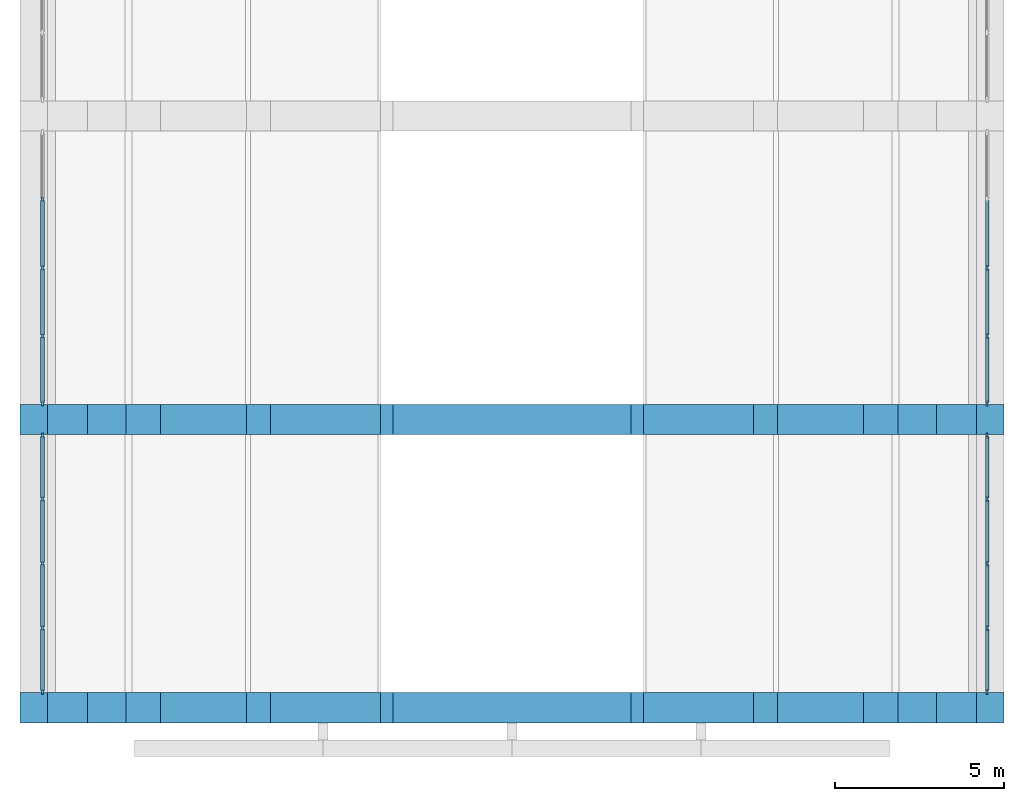
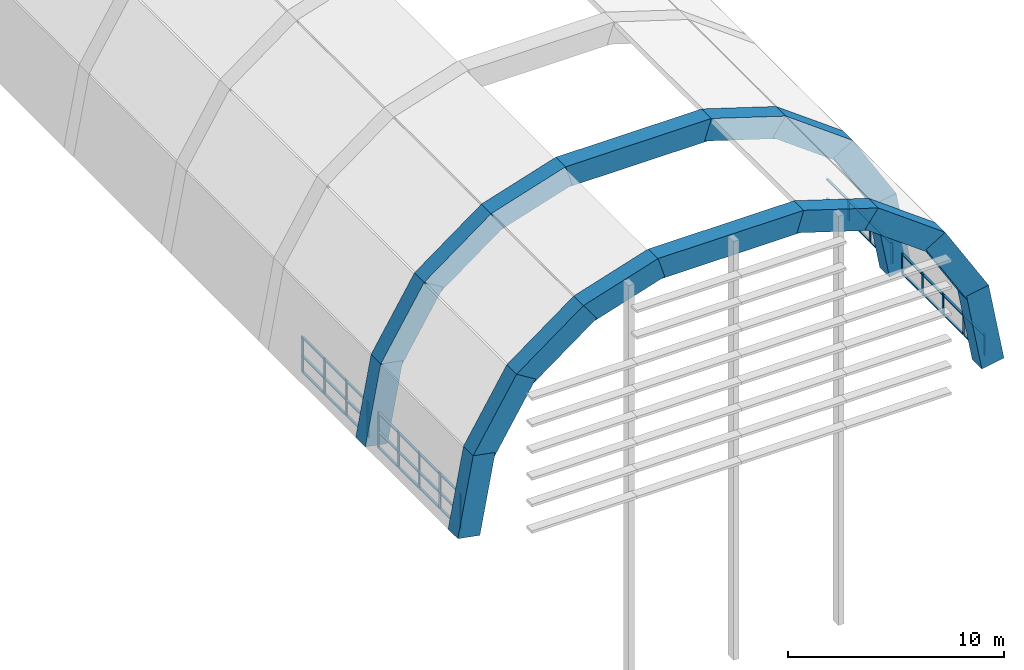
# One storey, part 1 of 8: 52 members, 18 beams, 4 elements without a shape of their own.
"""IFC4 building model written with IfcOpenShell, lengths in metres."""

from ifc_helpers import new_model, si_unit, direction, frame, origin, origin_2d, place, context, subcontext, project, spatial, rectangle, extrude, material, material_profile, profile_set, type_object, element, aggregate, save


model = new_model("IFC4")

# Units and contexts
model_context = context("Model", 3, precision=1e-05, world=origin(), true_north=direction((0.0, 1.0)))
body_context = subcontext(model_context, "Body", "Model", "MODEL_VIEW")
ifc_project = project(units=[si_unit("LENGTHUNIT", "METRE"), si_unit("AREAUNIT", "SQUARE_METRE"), si_unit("VOLUMEUNIT", "CUBIC_METRE"), si_unit("PLANEANGLEUNIT", "RADIAN"), si_unit("MASSUNIT", "GRAM", prefix="KILO")], contexts=[model_context])

# Site, building, storey
site_placement = place(None, origin())
site = spatial("IfcSite", under=ifc_project, at=site_placement, CompositionType="ELEMENT")
building_placement = place(site_placement, origin())
building = spatial("IfcBuilding", under=site, at=building_placement, Name="Elmora Arch Market Hall", CompositionType="ELEMENT")
storey_placement = place(building_placement, frame((0.0, 0.0, 18.60009765625)))
storey = spatial("IfcBuildingStorey", under=building, at=storey_placement, Name="Roof", CompositionType="ELEMENT", Elevation=18.60009765625)

# Beams
ifc_material_1 = material(Name="Concrete C40/50", Category="concrete")
ifc_material_profile_1 = material_profile(ifc_material_1, rectangle(XDim=0.89990234375, YDim=1.199951171875, at=origin_2d()), Name="Arch rib")
ifc_profile_set_1 = profile_set([ifc_material_profile_1], Name="Concrete C40/50")
beam_type = type_object("IfcBeamType", Name="Arch rib", PredefinedType="BEAM", material=ifc_profile_set_1)
beam_1_placement = place(storey_placement, frame((15.0, 27.449951171875, 0.10986328125), z_axis=(0.18332979563, 0.0, 0.983051466625), x_axis=(0.0, 1.0, 0.0)))
element("IfcBeam", 1, at=beam_1_placement, inside=storey, type_object=beam_type, Name="Arch rib 01 segment 1", PredefinedType="BEAM", context=body_context, shape_type="SweptSolid", body=[
    extrude(rectangle(XDim=0.89990234375, YDim=1.199951171875, at=origin_2d()), origin(), (0.0, 0.0, 1.0), 4.474609375),
])
beam_2_placement = place(storey_placement, frame((15.742431640625, 27.449951171875, 4.3056640625), z_axis=(0.52144556852, 0.0, 0.85328454754), x_axis=(0.0, 1.0, 0.0)))
element("IfcBeam", 2, at=beam_2_placement, inside=storey, type_object=beam_type, Name="Arch rib 01 segment 2", PredefinedType="BEAM", context=body_context, shape_type="SweptSolid", body=[
    extrude(rectangle(XDim=0.89990234375, YDim=1.199951171875, at=origin_2d()), origin(), (0.0, 0.0, 1.0), 4.447509765625),
])
beam_3_placement = place(storey_placement, frame((17.905029296875, 27.449951171875, 7.929931640625), z_axis=(0.805622437168, 0.0, 0.592429311168), x_axis=(0.0, 1.0, 0.0)))
element("IfcBeam", 3, at=beam_3_placement, inside=storey, type_object=beam_type, Name="Arch rib 01 segment 3", PredefinedType="BEAM", context=body_context, shape_type="SweptSolid", body=[
    extrude(rectangle(XDim=0.89990234375, YDim=1.199951171875, at=origin_2d()), origin(), (0.0, 0.0, 1.0), 4.4375),
])
beam_4_placement = place(storey_placement, frame((21.30517578125, 27.449951171875, 10.469970703125), z_axis=(0.953579131472, 0.0, 0.30114255764), x_axis=(0.0, 1.0, 0.0)))
element("IfcBeam", 4, at=beam_4_placement, inside=storey, type_object=beam_type, Name="Arch rib 01 segment 4", PredefinedType="BEAM", context=body_context, shape_type="SweptSolid", body=[
    extrude(rectangle(XDim=0.89990234375, YDim=1.199951171875, at=origin_2d()), origin(), (0.0, 0.0, 1.0), 4.1767578125),
])
beam_5_placement = place(storey_placement, frame((25.107421875, 27.449951171875, 11.699951171875), z_axis=(1.0, 0.0, 0.0), x_axis=(0.0, 1.0, 0.0)))
element("IfcBeam", 5, at=beam_5_placement, inside=storey, type_object=beam_type, Name="Arch rib 01 segment 5", PredefinedType="BEAM", context=body_context, shape_type="SweptSolid", body=[
    extrude(rectangle(XDim=0.89990234375, YDim=1.199951171875, at=origin_2d()), origin(), (0.0, 0.0, 1.0), 7.78515625),
])
beam_6_placement = place(storey_placement, frame((32.7119140625, 27.449951171875, 11.727783203125), z_axis=(0.953579131472, 0.0, -0.30114255764), x_axis=(0.0, 1.0, 0.0)))
element("IfcBeam", 6, at=beam_6_placement, inside=storey, type_object=beam_type, Name="Arch rib 01 segment 6", PredefinedType="BEAM", context=body_context, shape_type="SweptSolid", body=[
    extrude(rectangle(XDim=0.89990234375, YDim=1.199951171875, at=origin_2d()), origin(), (0.0, 0.0, 1.0), 4.1767578125),
])
beam_7_placement = place(storey_placement, frame((36.52001953125, 27.449951171875, 10.558837890625), z_axis=(0.805622437168, 0.0, -0.592429311168), x_axis=(0.0, 1.0, 0.0)))
element("IfcBeam", 7, at=beam_7_placement, inside=storey, type_object=beam_type, Name="Arch rib 01 segment 7", PredefinedType="BEAM", context=body_context, shape_type="SweptSolid", body=[
    extrude(rectangle(XDim=0.89990234375, YDim=1.199951171875, at=origin_2d()), origin(), (0.0, 0.0, 1.0), 4.4375),
])
beam_8_placement = place(storey_placement, frame((39.9384765625, 27.449951171875, 8.1005859375), z_axis=(0.52144556852, 0.0, -0.85328454754), x_axis=(0.0, 1.0, 0.0)))
element("IfcBeam", 8, at=beam_8_placement, inside=storey, type_object=beam_type, Name="Arch rib 01 segment 8", PredefinedType="BEAM", context=body_context, shape_type="SweptSolid", body=[
    extrude(rectangle(XDim=0.89990234375, YDim=1.199951171875, at=origin_2d()), origin(), (0.0, 0.0, 1.0), 4.447509765625),
])
for number, where, z_axis, x_axis, name in (
    (9, (42.1796875, 27.449951171875, 4.508544921875), (0.18332979563, 0.0, -0.983051466625), (0.0, 1.0, 0.0), "Arch rib 01 segment 9"),
    (10, (15.0, 36.0, 0.10986328125), (0.18332979563, 0.0, 0.983051466625), (0.0, 1.0, 0.0), "Arch rib 02 segment 1"),
):
    element("IfcBeam", number, at=place(storey_placement, frame(where, z_axis=z_axis, x_axis=x_axis)), inside=storey, type_object=beam_type, Name=name, PredefinedType="BEAM", context=body_context, shape_type="SweptSolid", body=[
        extrude(rectangle(XDim=0.89990234375, YDim=1.199951171875, at=origin_2d()), origin(), (0.0, 0.0, 1.0), 4.474609375),
    ])
beam_9_placement = place(storey_placement, frame((15.742431640625, 36.0, 4.3056640625), z_axis=(0.52144556852, 0.0, 0.85328454754), x_axis=(0.0, 1.0, 0.0)))
element("IfcBeam", 11, at=beam_9_placement, inside=storey, type_object=beam_type, Name="Arch rib 02 segment 2", PredefinedType="BEAM", context=body_context, shape_type="SweptSolid", body=[
    extrude(rectangle(XDim=0.89990234375, YDim=1.199951171875, at=origin_2d()), origin(), (0.0, 0.0, 1.0), 4.447509765625),
])
beam_10_placement = place(storey_placement, frame((17.905029296875, 36.0, 7.929931640625), z_axis=(0.805622437168, 0.0, 0.592429311168), x_axis=(0.0, 1.0, 0.0)))
element("IfcBeam", 12, at=beam_10_placement, inside=storey, type_object=beam_type, Name="Arch rib 02 segment 3", PredefinedType="BEAM", context=body_context, shape_type="SweptSolid", body=[
    extrude(rectangle(XDim=0.89990234375, YDim=1.199951171875, at=origin_2d()), origin(), (0.0, 0.0, 1.0), 4.4375),
])
beam_11_placement = place(storey_placement, frame((21.30517578125, 36.0, 10.469970703125), z_axis=(0.953579131472, 0.0, 0.30114255764), x_axis=(0.0, 1.0, 0.0)))
element("IfcBeam", 13, at=beam_11_placement, inside=storey, type_object=beam_type, Name="Arch rib 02 segment 4", PredefinedType="BEAM", context=body_context, shape_type="SweptSolid", body=[
    extrude(rectangle(XDim=0.89990234375, YDim=1.199951171875, at=origin_2d()), origin(), (0.0, 0.0, 1.0), 4.1767578125),
])
beam_12_placement = place(storey_placement, frame((25.107421875, 36.0, 11.699951171875), z_axis=(1.0, 0.0, 0.0), x_axis=(0.0, 1.0, 0.0)))
element("IfcBeam", 14, at=beam_12_placement, inside=storey, type_object=beam_type, Name="Arch rib 02 segment 5", PredefinedType="BEAM", context=body_context, shape_type="SweptSolid", body=[
    extrude(rectangle(XDim=0.89990234375, YDim=1.199951171875, at=origin_2d()), origin(), (0.0, 0.0, 1.0), 7.78515625),
])
beam_13_placement = place(storey_placement, frame((32.7119140625, 36.0, 11.727783203125), z_axis=(0.953579131472, 0.0, -0.30114255764), x_axis=(0.0, 1.0, 0.0)))
element("IfcBeam", 15, at=beam_13_placement, inside=storey, type_object=beam_type, Name="Arch rib 02 segment 6", PredefinedType="BEAM", context=body_context, shape_type="SweptSolid", body=[
    extrude(rectangle(XDim=0.89990234375, YDim=1.199951171875, at=origin_2d()), origin(), (0.0, 0.0, 1.0), 4.1767578125),
])
beam_14_placement = place(storey_placement, frame((36.52001953125, 36.0, 10.558837890625), z_axis=(0.805622437168, 0.0, -0.592429311168), x_axis=(0.0, 1.0, 0.0)))
element("IfcBeam", 16, at=beam_14_placement, inside=storey, type_object=beam_type, Name="Arch rib 02 segment 7", PredefinedType="BEAM", context=body_context, shape_type="SweptSolid", body=[
    extrude(rectangle(XDim=0.89990234375, YDim=1.199951171875, at=origin_2d()), origin(), (0.0, 0.0, 1.0), 4.4375),
])
beam_15_placement = place(storey_placement, frame((39.9384765625, 36.0, 8.1005859375), z_axis=(0.52144556852, 0.0, -0.85328454754), x_axis=(0.0, 1.0, 0.0)))
element("IfcBeam", 17, at=beam_15_placement, inside=storey, type_object=beam_type, Name="Arch rib 02 segment 8", PredefinedType="BEAM", context=body_context, shape_type="SweptSolid", body=[
    extrude(rectangle(XDim=0.89990234375, YDim=1.199951171875, at=origin_2d()), origin(), (0.0, 0.0, 1.0), 4.447509765625),
])
beam_16_placement = place(storey_placement, frame((42.1796875, 36.0, 4.508544921875), z_axis=(0.18332979563, 0.0, -0.983051466625), x_axis=(0.0, 1.0, 0.0)))
element("IfcBeam", 18, at=beam_16_placement, inside=storey, type_object=beam_type, Name="Arch rib 02 segment 9", PredefinedType="BEAM", context=body_context, shape_type="SweptSolid", body=[
    extrude(rectangle(XDim=0.89990234375, YDim=1.199951171875, at=origin_2d()), origin(), (0.0, 0.0, 1.0), 4.474609375),
])

# Curtain wall, members
ifc_material_2 = material(Name="Aluminium", Category="aluminium")
curtain_wall_type = type_object("IfcCurtainWallType", Name="Clerestory curtain wall", PredefinedType="NOTDEFINED", material=ifc_material_2)
curtain_wall_1_placement = place(storey_placement, origin())
curtain_wall_1 = element("IfcCurtainWall", 19, at=curtain_wall_1_placement, inside=storey, type_object=curtain_wall_type, Name="Hall clerestory W 1", PredefinedType="NOTDEFINED")
ifc_material_3 = material(Name="Aluminium", Category="aluminium")
ifc_material_profile_2 = material_profile(ifc_material_3, rectangle(XDim=0.06005859375, YDim=0.159912109375, at=origin_2d()), Name="AL 60x160")
ifc_profile_set_2 = profile_set([ifc_material_profile_2], Name="Aluminium")
member_type_1 = type_object("IfcMemberType", Name="Mullion 60x160", PredefinedType="MULLION", material=ifc_profile_set_2)
member_1_placement = place(storey_placement, frame((15.080078125, 27.929931640625, 0.0), z_axis=(0.0, 0.0, 1.0), x_axis=(-1.0, 0.0, 0.0)))
member_1 = element("IfcMember", 20, at=member_1_placement, type_object=member_type_1, Name="CW4 mullion 1", PredefinedType="MULLION", context=body_context, shape_type="SweptSolid", body=[
    extrude(rectangle(XDim=0.06005859375, YDim=0.159912109375, at=origin_2d()), origin(), (0.0, 0.0, 1.0), 1.9990234375),
])
member_2_placement = place(storey_placement, frame((15.080078125, 29.8125, 0.0), z_axis=(0.0, 0.0, 1.0), x_axis=(-1.0, 0.0, 0.0)))
member_2 = element("IfcMember", 21, at=member_2_placement, type_object=member_type_1, Name="CW4 mullion 2", PredefinedType="MULLION", context=body_context, shape_type="SweptSolid", body=[
    extrude(rectangle(XDim=0.06005859375, YDim=0.159912109375, at=origin_2d()), origin(), (0.0, 0.0, 1.0), 1.9990234375),
])
member_3_placement = place(storey_placement, frame((15.080078125, 31.72509765625, 0.0), z_axis=(0.0, 0.0, 1.0), x_axis=(-1.0, 0.0, 0.0)))
member_3 = element("IfcMember", 22, at=member_3_placement, type_object=member_type_1, Name="CW4 mullion 3", PredefinedType="MULLION", context=body_context, shape_type="SweptSolid", body=[
    extrude(rectangle(XDim=0.06005859375, YDim=0.159912109375, at=origin_2d()), origin(), (0.0, 0.0, 1.0), 1.9990234375),
])
member_4_placement = place(storey_placement, frame((15.080078125, 33.637451171875, 0.0), z_axis=(0.0, 0.0, 1.0), x_axis=(-1.0, 0.0, 0.0)))
member_4 = element("IfcMember", 23, at=member_4_placement, type_object=member_type_1, Name="CW4 mullion 4", PredefinedType="MULLION", context=body_context, shape_type="SweptSolid", body=[
    extrude(rectangle(XDim=0.06005859375, YDim=0.159912109375, at=origin_2d()), origin(), (0.0, 0.0, 1.0), 1.9990234375),
])
member_5_placement = place(storey_placement, frame((15.080078125, 35.52001953125, 0.0), z_axis=(0.0, 0.0, 1.0), x_axis=(-1.0, 0.0, 0.0)))
member_5 = element("IfcMember", 24, at=member_5_placement, type_object=member_type_1, Name="CW4 mullion 5", PredefinedType="MULLION", context=body_context, shape_type="SweptSolid", body=[
    extrude(rectangle(XDim=0.06005859375, YDim=0.159912109375, at=origin_2d()), origin(), (0.0, 0.0, 1.0), 1.9990234375),
])

curtain_wall_2_placement = place(storey_placement, origin())
curtain_wall_2 = element("IfcCurtainWall", 25, at=curtain_wall_2_placement, inside=storey, type_object=curtain_wall_type, Name="Hall clerestory W 2", PredefinedType="NOTDEFINED")
member_6_placement = place(storey_placement, frame((15.080078125, 36.47998046875, 0.0), z_axis=(0.0, 0.0, 1.0), x_axis=(-1.0, 0.0, 0.0)))
member_6 = element("IfcMember", 26, at=member_6_placement, type_object=member_type_1, Name="CW4 mullion 1", PredefinedType="MULLION", context=body_context, shape_type="SweptSolid", body=[
    extrude(rectangle(XDim=0.06005859375, YDim=0.159912109375, at=origin_2d()), origin(), (0.0, 0.0, 1.0), 1.9990234375),
])
member_7_placement = place(storey_placement, frame((15.080078125, 38.47509765625, 0.0), z_axis=(0.0, 0.0, 1.0), x_axis=(-1.0, 0.0, 0.0)))
member_7 = element("IfcMember", 27, at=member_7_placement, type_object=member_type_1, Name="CW4 mullion 2", PredefinedType="MULLION", context=body_context, shape_type="SweptSolid", body=[
    extrude(rectangle(XDim=0.06005859375, YDim=0.159912109375, at=origin_2d()), origin(), (0.0, 0.0, 1.0), 1.9990234375),
])
member_8_placement = place(storey_placement, frame((15.080078125, 40.5, 0.0), z_axis=(0.0, 0.0, 1.0), x_axis=(-1.0, 0.0, 0.0)))
member_8 = element("IfcMember", 28, at=member_8_placement, type_object=member_type_1, Name="CW4 mullion 3", PredefinedType="MULLION", context=body_context, shape_type="SweptSolid", body=[
    extrude(rectangle(XDim=0.06005859375, YDim=0.159912109375, at=origin_2d()), origin(), (0.0, 0.0, 1.0), 1.9990234375),
])
member_9_placement = place(storey_placement, frame((15.080078125, 42.52490234375, 0.0), z_axis=(0.0, 0.0, 1.0), x_axis=(-1.0, 0.0, 0.0)))
member_9 = element("IfcMember", 29, at=member_9_placement, type_object=member_type_1, Name="CW4 mullion 4", PredefinedType="MULLION", context=body_context, shape_type="SweptSolid", body=[
    extrude(rectangle(XDim=0.06005859375, YDim=0.159912109375, at=origin_2d()), origin(), (0.0, 0.0, 1.0), 1.9990234375),
])

curtain_wall_3_placement = place(storey_placement, origin())
curtain_wall_3 = element("IfcCurtainWall", 30, at=curtain_wall_3_placement, inside=storey, type_object=curtain_wall_type, Name="Hall clerestory E 1", PredefinedType="NOTDEFINED")
member_10_placement = place(storey_placement, frame((43.080078125, 27.929931640625, 0.0), z_axis=(0.0, 0.0, 1.0), x_axis=(-1.0, 0.0, 0.0)))
member_10 = element("IfcMember", 31, at=member_10_placement, type_object=member_type_1, Name="CW4 mullion 1", PredefinedType="MULLION", context=body_context, shape_type="SweptSolid", body=[
    extrude(rectangle(XDim=0.06005859375, YDim=0.159912109375, at=origin_2d()), origin(), (0.0, 0.0, 1.0), 1.140869140625),
])
member_11_placement = place(storey_placement, frame((43.080078125, 29.8125, 0.0), z_axis=(0.0, 0.0, 1.0), x_axis=(-1.0, 0.0, 0.0)))
member_11 = element("IfcMember", 32, at=member_11_placement, type_object=member_type_1, Name="CW4 mullion 2", PredefinedType="MULLION", context=body_context, shape_type="SweptSolid", body=[
    extrude(rectangle(XDim=0.06005859375, YDim=0.159912109375, at=origin_2d()), origin(), (0.0, 0.0, 1.0), 1.140869140625),
])
member_12_placement = place(storey_placement, frame((43.080078125, 31.72509765625, 0.0), z_axis=(0.0, 0.0, 1.0), x_axis=(-1.0, 0.0, 0.0)))
member_12 = element("IfcMember", 33, at=member_12_placement, type_object=member_type_1, Name="CW4 mullion 3", PredefinedType="MULLION", context=body_context, shape_type="SweptSolid", body=[
    extrude(rectangle(XDim=0.06005859375, YDim=0.159912109375, at=origin_2d()), origin(), (0.0, 0.0, 1.0), 1.140869140625),
])
member_13_placement = place(storey_placement, frame((43.080078125, 33.637451171875, 0.0), z_axis=(0.0, 0.0, 1.0), x_axis=(-1.0, 0.0, 0.0)))
member_13 = element("IfcMember", 34, at=member_13_placement, type_object=member_type_1, Name="CW4 mullion 4", PredefinedType="MULLION", context=body_context, shape_type="SweptSolid", body=[
    extrude(rectangle(XDim=0.06005859375, YDim=0.159912109375, at=origin_2d()), origin(), (0.0, 0.0, 1.0), 1.140869140625),
])
member_14_placement = place(storey_placement, frame((43.080078125, 35.52001953125, 0.0), z_axis=(0.0, 0.0, 1.0), x_axis=(-1.0, 0.0, 0.0)))
member_14 = element("IfcMember", 35, at=member_14_placement, type_object=member_type_1, Name="CW4 mullion 5", PredefinedType="MULLION", context=body_context, shape_type="SweptSolid", body=[
    extrude(rectangle(XDim=0.06005859375, YDim=0.159912109375, at=origin_2d()), origin(), (0.0, 0.0, 1.0), 1.140869140625),
])

curtain_wall_4_placement = place(storey_placement, origin())
curtain_wall_4 = element("IfcCurtainWall", 36, at=curtain_wall_4_placement, inside=storey, type_object=curtain_wall_type, Name="Hall clerestory E 2", PredefinedType="NOTDEFINED")
member_15_placement = place(storey_placement, frame((43.080078125, 36.47998046875, 0.0), z_axis=(0.0, 0.0, 1.0), x_axis=(-1.0, 0.0, 0.0)))
member_15 = element("IfcMember", 37, at=member_15_placement, type_object=member_type_1, Name="CW4 mullion 1", PredefinedType="MULLION", context=body_context, shape_type="SweptSolid", body=[
    extrude(rectangle(XDim=0.06005859375, YDim=0.159912109375, at=origin_2d()), origin(), (0.0, 0.0, 1.0), 1.140869140625),
])
member_16_placement = place(storey_placement, frame((43.080078125, 38.47509765625, 0.0), z_axis=(0.0, 0.0, 1.0), x_axis=(-1.0, 0.0, 0.0)))
member_16 = element("IfcMember", 38, at=member_16_placement, type_object=member_type_1, Name="CW4 mullion 2", PredefinedType="MULLION", context=body_context, shape_type="SweptSolid", body=[
    extrude(rectangle(XDim=0.06005859375, YDim=0.159912109375, at=origin_2d()), origin(), (0.0, 0.0, 1.0), 1.140869140625),
])
member_17_placement = place(storey_placement, frame((43.080078125, 40.5, 0.0), z_axis=(0.0, 0.0, 1.0), x_axis=(-1.0, 0.0, 0.0)))
member_17 = element("IfcMember", 39, at=member_17_placement, type_object=member_type_1, Name="CW4 mullion 3", PredefinedType="MULLION", context=body_context, shape_type="SweptSolid", body=[
    extrude(rectangle(XDim=0.06005859375, YDim=0.159912109375, at=origin_2d()), origin(), (0.0, 0.0, 1.0), 1.140869140625),
])

# Member
ifc_material_4 = material(Name="Aluminium", Category="aluminium")
ifc_material_profile_3 = material_profile(ifc_material_4, rectangle(XDim=0.1201171875, YDim=0.06005859375, at=origin_2d()), Name="AL 120x60")
ifc_profile_set_3 = profile_set([ifc_material_profile_3], Name="Aluminium")
member_type_2 = type_object("IfcMemberType", Name="Transom 120x60", PredefinedType="USERDEFINED", material=ifc_profile_set_3)
member_18_placement = place(storey_placement, frame((15.080078125, 27.9599609375, 0.02978515625), z_axis=(0.0, 1.0, 0.0), x_axis=(-1.0, 0.0, 0.0)))
member_18 = element("IfcMember", 40, at=member_18_placement, type_object=member_type_2, Name="CW4 transom 1.1", ObjectType="TRANSOM", PredefinedType="USERDEFINED", context=body_context, shape_type="SweptSolid", body=[
    extrude(rectangle(XDim=0.1201171875, YDim=0.06005859375, at=origin_2d()), origin(), (0.0, 0.0, 1.0), 1.822509765625),
])

member_19_placement = place(storey_placement, frame((15.080078125, 27.9599609375, 0.89990234375), z_axis=(0.0, 1.0, 0.0), x_axis=(-1.0, 0.0, 0.0)))
member_19 = element("IfcMember", 41, at=member_19_placement, type_object=member_type_2, Name="CW4 transom 1.2", ObjectType="TRANSOM", PredefinedType="USERDEFINED", context=body_context, shape_type="SweptSolid", body=[
    extrude(rectangle(XDim=0.1201171875, YDim=0.06005859375, at=origin_2d()), origin(), (0.0, 0.0, 1.0), 1.822509765625),
])

member_20_placement = place(storey_placement, frame((15.080078125, 27.9599609375, 1.968994140625), z_axis=(0.0, 1.0, 0.0), x_axis=(-1.0, 0.0, 0.0)))
member_20 = element("IfcMember", 42, at=member_20_placement, type_object=member_type_2, Name="CW4 transom 1.3", ObjectType="TRANSOM", PredefinedType="USERDEFINED", context=body_context, shape_type="SweptSolid", body=[
    extrude(rectangle(XDim=0.1201171875, YDim=0.06005859375, at=origin_2d()), origin(), (0.0, 0.0, 1.0), 1.822509765625),
])

member_21_placement = place(storey_placement, frame((15.080078125, 29.842529296875, 0.02978515625), z_axis=(0.0, 1.0, 0.0), x_axis=(-1.0, 0.0, 0.0)))
member_21 = element("IfcMember", 43, at=member_21_placement, type_object=member_type_2, Name="CW4 transom 2.1", ObjectType="TRANSOM", PredefinedType="USERDEFINED", context=body_context, shape_type="SweptSolid", body=[
    extrude(rectangle(XDim=0.1201171875, YDim=0.06005859375, at=origin_2d()), origin(), (0.0, 0.0, 1.0), 1.8525390625),
])

member_22_placement = place(storey_placement, frame((15.080078125, 29.842529296875, 0.89990234375), z_axis=(0.0, 1.0, 0.0), x_axis=(-1.0, 0.0, 0.0)))
member_22 = element("IfcMember", 44, at=member_22_placement, type_object=member_type_2, Name="CW4 transom 2.2", ObjectType="TRANSOM", PredefinedType="USERDEFINED", context=body_context, shape_type="SweptSolid", body=[
    extrude(rectangle(XDim=0.1201171875, YDim=0.06005859375, at=origin_2d()), origin(), (0.0, 0.0, 1.0), 1.8525390625),
])

member_23_placement = place(storey_placement, frame((15.080078125, 29.842529296875, 1.968994140625), z_axis=(0.0, 1.0, 0.0), x_axis=(-1.0, 0.0, 0.0)))
member_23 = element("IfcMember", 45, at=member_23_placement, type_object=member_type_2, Name="CW4 transom 2.3", ObjectType="TRANSOM", PredefinedType="USERDEFINED", context=body_context, shape_type="SweptSolid", body=[
    extrude(rectangle(XDim=0.1201171875, YDim=0.06005859375, at=origin_2d()), origin(), (0.0, 0.0, 1.0), 1.8525390625),
])

member_24_placement = place(storey_placement, frame((15.080078125, 31.7548828125, 0.02978515625), z_axis=(0.0, 1.0, 0.0), x_axis=(-1.0, 0.0, 0.0)))
member_24 = element("IfcMember", 46, at=member_24_placement, type_object=member_type_2, Name="CW4 transom 3.1", ObjectType="TRANSOM", PredefinedType="USERDEFINED", context=body_context, shape_type="SweptSolid", body=[
    extrude(rectangle(XDim=0.1201171875, YDim=0.06005859375, at=origin_2d()), origin(), (0.0, 0.0, 1.0), 1.8525390625),
])

member_25_placement = place(storey_placement, frame((15.080078125, 31.7548828125, 0.89990234375), z_axis=(0.0, 1.0, 0.0), x_axis=(-1.0, 0.0, 0.0)))
member_25 = element("IfcMember", 47, at=member_25_placement, type_object=member_type_2, Name="CW4 transom 3.2", ObjectType="TRANSOM", PredefinedType="USERDEFINED", context=body_context, shape_type="SweptSolid", body=[
    extrude(rectangle(XDim=0.1201171875, YDim=0.06005859375, at=origin_2d()), origin(), (0.0, 0.0, 1.0), 1.8525390625),
])

member_26_placement = place(storey_placement, frame((15.080078125, 31.7548828125, 1.968994140625), z_axis=(0.0, 1.0, 0.0), x_axis=(-1.0, 0.0, 0.0)))
member_26 = element("IfcMember", 48, at=member_26_placement, type_object=member_type_2, Name="CW4 transom 3.3", ObjectType="TRANSOM", PredefinedType="USERDEFINED", context=body_context, shape_type="SweptSolid", body=[
    extrude(rectangle(XDim=0.1201171875, YDim=0.06005859375, at=origin_2d()), origin(), (0.0, 0.0, 1.0), 1.8525390625),
])

member_27_placement = place(storey_placement, frame((15.080078125, 33.66748046875, 0.02978515625), z_axis=(0.0, 1.0, 0.0), x_axis=(-1.0, 0.0, 0.0)))
member_27 = element("IfcMember", 49, at=member_27_placement, type_object=member_type_2, Name="CW4 transom 4.1", ObjectType="TRANSOM", PredefinedType="USERDEFINED", context=body_context, shape_type="SweptSolid", body=[
    extrude(rectangle(XDim=0.1201171875, YDim=0.06005859375, at=origin_2d()), origin(), (0.0, 0.0, 1.0), 1.822509765625),
])

member_28_placement = place(storey_placement, frame((15.080078125, 33.66748046875, 0.89990234375), z_axis=(0.0, 1.0, 0.0), x_axis=(-1.0, 0.0, 0.0)))
member_28 = element("IfcMember", 50, at=member_28_placement, type_object=member_type_2, Name="CW4 transom 4.2", ObjectType="TRANSOM", PredefinedType="USERDEFINED", context=body_context, shape_type="SweptSolid", body=[
    extrude(rectangle(XDim=0.1201171875, YDim=0.06005859375, at=origin_2d()), origin(), (0.0, 0.0, 1.0), 1.822509765625),
])

member_29_placement = place(storey_placement, frame((15.080078125, 33.66748046875, 1.968994140625), z_axis=(0.0, 1.0, 0.0), x_axis=(-1.0, 0.0, 0.0)))
member_29 = element("IfcMember", 51, at=member_29_placement, type_object=member_type_2, Name="CW4 transom 4.3", ObjectType="TRANSOM", PredefinedType="USERDEFINED", context=body_context, shape_type="SweptSolid", body=[
    extrude(rectangle(XDim=0.1201171875, YDim=0.06005859375, at=origin_2d()), origin(), (0.0, 0.0, 1.0), 1.822509765625),
])

aggregate(curtain_wall_1, [member_1, member_2, member_3, member_4, member_5, member_18, member_19, member_20, member_21, member_22, member_23, member_24, member_25, member_26, member_27, member_28, member_29])

member_30_placement = place(storey_placement, frame((15.080078125, 36.510009765625, 0.02978515625), z_axis=(0.0, 1.0, 0.0), x_axis=(-1.0, 0.0, 0.0)))
member_30 = element("IfcMember", 52, at=member_30_placement, type_object=member_type_2, Name="CW4 transom 1.1", ObjectType="TRANSOM", PredefinedType="USERDEFINED", context=body_context, shape_type="SweptSolid", body=[
    extrude(rectangle(XDim=0.1201171875, YDim=0.06005859375, at=origin_2d()), origin(), (0.0, 0.0, 1.0), 1.93505859375),
])

member_31_placement = place(storey_placement, frame((15.080078125, 36.510009765625, 0.89990234375), z_axis=(0.0, 1.0, 0.0), x_axis=(-1.0, 0.0, 0.0)))
member_31 = element("IfcMember", 53, at=member_31_placement, type_object=member_type_2, Name="CW4 transom 1.2", ObjectType="TRANSOM", PredefinedType="USERDEFINED", context=body_context, shape_type="SweptSolid", body=[
    extrude(rectangle(XDim=0.1201171875, YDim=0.06005859375, at=origin_2d()), origin(), (0.0, 0.0, 1.0), 1.93505859375),
])

member_32_placement = place(storey_placement, frame((15.080078125, 36.510009765625, 1.968994140625), z_axis=(0.0, 1.0, 0.0), x_axis=(-1.0, 0.0, 0.0)))
member_32 = element("IfcMember", 54, at=member_32_placement, type_object=member_type_2, Name="CW4 transom 1.3", ObjectType="TRANSOM", PredefinedType="USERDEFINED", context=body_context, shape_type="SweptSolid", body=[
    extrude(rectangle(XDim=0.1201171875, YDim=0.06005859375, at=origin_2d()), origin(), (0.0, 0.0, 1.0), 1.93505859375),
])

member_33_placement = place(storey_placement, frame((15.080078125, 38.5048828125, 0.02978515625), z_axis=(0.0, 1.0, 0.0), x_axis=(-1.0, 0.0, 0.0)))
member_33 = element("IfcMember", 55, at=member_33_placement, type_object=member_type_2, Name="CW4 transom 2.1", ObjectType="TRANSOM", PredefinedType="USERDEFINED", context=body_context, shape_type="SweptSolid", body=[
    extrude(rectangle(XDim=0.1201171875, YDim=0.06005859375, at=origin_2d()), origin(), (0.0, 0.0, 1.0), 1.965087890625),
])

member_34_placement = place(storey_placement, frame((15.080078125, 38.5048828125, 0.89990234375), z_axis=(0.0, 1.0, 0.0), x_axis=(-1.0, 0.0, 0.0)))
member_34 = element("IfcMember", 56, at=member_34_placement, type_object=member_type_2, Name="CW4 transom 2.2", ObjectType="TRANSOM", PredefinedType="USERDEFINED", context=body_context, shape_type="SweptSolid", body=[
    extrude(rectangle(XDim=0.1201171875, YDim=0.06005859375, at=origin_2d()), origin(), (0.0, 0.0, 1.0), 1.965087890625),
])

member_35_placement = place(storey_placement, frame((15.080078125, 38.5048828125, 1.968994140625), z_axis=(0.0, 1.0, 0.0), x_axis=(-1.0, 0.0, 0.0)))
member_35 = element("IfcMember", 57, at=member_35_placement, type_object=member_type_2, Name="CW4 transom 2.3", ObjectType="TRANSOM", PredefinedType="USERDEFINED", context=body_context, shape_type="SweptSolid", body=[
    extrude(rectangle(XDim=0.1201171875, YDim=0.06005859375, at=origin_2d()), origin(), (0.0, 0.0, 1.0), 1.965087890625),
])

member_36_placement = place(storey_placement, frame((15.080078125, 40.530029296875, 0.02978515625), z_axis=(0.0, 1.0, 0.0), x_axis=(-1.0, 0.0, 0.0)))
member_36 = element("IfcMember", 58, at=member_36_placement, type_object=member_type_2, Name="CW4 transom 3.1", ObjectType="TRANSOM", PredefinedType="USERDEFINED", context=body_context, shape_type="SweptSolid", body=[
    extrude(rectangle(XDim=0.1201171875, YDim=0.06005859375, at=origin_2d()), origin(), (0.0, 0.0, 1.0), 1.965087890625),
])

member_37_placement = place(storey_placement, frame((15.080078125, 40.530029296875, 0.89990234375), z_axis=(0.0, 1.0, 0.0), x_axis=(-1.0, 0.0, 0.0)))
member_37 = element("IfcMember", 59, at=member_37_placement, type_object=member_type_2, Name="CW4 transom 3.2", ObjectType="TRANSOM", PredefinedType="USERDEFINED", context=body_context, shape_type="SweptSolid", body=[
    extrude(rectangle(XDim=0.1201171875, YDim=0.06005859375, at=origin_2d()), origin(), (0.0, 0.0, 1.0), 1.965087890625),
])

member_38_placement = place(storey_placement, frame((15.080078125, 40.530029296875, 1.968994140625), z_axis=(0.0, 1.0, 0.0), x_axis=(-1.0, 0.0, 0.0)))
member_38 = element("IfcMember", 60, at=member_38_placement, type_object=member_type_2, Name="CW4 transom 3.3", ObjectType="TRANSOM", PredefinedType="USERDEFINED", context=body_context, shape_type="SweptSolid", body=[
    extrude(rectangle(XDim=0.1201171875, YDim=0.06005859375, at=origin_2d()), origin(), (0.0, 0.0, 1.0), 1.965087890625),
])

aggregate(curtain_wall_2, [member_6, member_7, member_8, member_9, member_30, member_31, member_32, member_33, member_34, member_35, member_36, member_37, member_38])

member_39_placement = place(storey_placement, frame((43.080078125, 27.9599609375, 0.02978515625), z_axis=(0.0, 1.0, 0.0), x_axis=(-1.0, 0.0, 0.0)))
member_39 = element("IfcMember", 61, at=member_39_placement, type_object=member_type_2, Name="CW4 transom 1.1", ObjectType="TRANSOM", PredefinedType="USERDEFINED", context=body_context, shape_type="SweptSolid", body=[
    extrude(rectangle(XDim=0.1201171875, YDim=0.06005859375, at=origin_2d()), origin(), (0.0, 0.0, 1.0), 1.822509765625),
])

member_40_placement = place(storey_placement, frame((43.080078125, 27.9599609375, 1.11083984375), z_axis=(0.0, 1.0, 0.0), x_axis=(-1.0, 0.0, 0.0)))
member_40 = element("IfcMember", 62, at=member_40_placement, type_object=member_type_2, Name="CW4 transom 1.2", ObjectType="TRANSOM", PredefinedType="USERDEFINED", context=body_context, shape_type="SweptSolid", body=[
    extrude(rectangle(XDim=0.1201171875, YDim=0.06005859375, at=origin_2d()), origin(), (0.0, 0.0, 1.0), 1.822509765625),
])

member_41_placement = place(storey_placement, frame((43.080078125, 29.842529296875, 0.02978515625), z_axis=(0.0, 1.0, 0.0), x_axis=(-1.0, 0.0, 0.0)))
member_41 = element("IfcMember", 63, at=member_41_placement, type_object=member_type_2, Name="CW4 transom 2.1", ObjectType="TRANSOM", PredefinedType="USERDEFINED", context=body_context, shape_type="SweptSolid", body=[
    extrude(rectangle(XDim=0.1201171875, YDim=0.06005859375, at=origin_2d()), origin(), (0.0, 0.0, 1.0), 1.8525390625),
])

member_42_placement = place(storey_placement, frame((43.080078125, 29.842529296875, 1.11083984375), z_axis=(0.0, 1.0, 0.0), x_axis=(-1.0, 0.0, 0.0)))
member_42 = element("IfcMember", 64, at=member_42_placement, type_object=member_type_2, Name="CW4 transom 2.2", ObjectType="TRANSOM", PredefinedType="USERDEFINED", context=body_context, shape_type="SweptSolid", body=[
    extrude(rectangle(XDim=0.1201171875, YDim=0.06005859375, at=origin_2d()), origin(), (0.0, 0.0, 1.0), 1.8525390625),
])

member_43_placement = place(storey_placement, frame((43.080078125, 31.7548828125, 0.02978515625), z_axis=(0.0, 1.0, 0.0), x_axis=(-1.0, 0.0, 0.0)))
member_43 = element("IfcMember", 65, at=member_43_placement, type_object=member_type_2, Name="CW4 transom 3.1", ObjectType="TRANSOM", PredefinedType="USERDEFINED", context=body_context, shape_type="SweptSolid", body=[
    extrude(rectangle(XDim=0.1201171875, YDim=0.06005859375, at=origin_2d()), origin(), (0.0, 0.0, 1.0), 1.8525390625),
])

member_44_placement = place(storey_placement, frame((43.080078125, 31.7548828125, 1.11083984375), z_axis=(0.0, 1.0, 0.0), x_axis=(-1.0, 0.0, 0.0)))
member_44 = element("IfcMember", 66, at=member_44_placement, type_object=member_type_2, Name="CW4 transom 3.2", ObjectType="TRANSOM", PredefinedType="USERDEFINED", context=body_context, shape_type="SweptSolid", body=[
    extrude(rectangle(XDim=0.1201171875, YDim=0.06005859375, at=origin_2d()), origin(), (0.0, 0.0, 1.0), 1.8525390625),
])

member_45_placement = place(storey_placement, frame((43.080078125, 33.66748046875, 0.02978515625), z_axis=(0.0, 1.0, 0.0), x_axis=(-1.0, 0.0, 0.0)))
member_45 = element("IfcMember", 67, at=member_45_placement, type_object=member_type_2, Name="CW4 transom 4.1", ObjectType="TRANSOM", PredefinedType="USERDEFINED", context=body_context, shape_type="SweptSolid", body=[
    extrude(rectangle(XDim=0.1201171875, YDim=0.06005859375, at=origin_2d()), origin(), (0.0, 0.0, 1.0), 1.822509765625),
])

member_46_placement = place(storey_placement, frame((43.080078125, 33.66748046875, 1.11083984375), z_axis=(0.0, 1.0, 0.0), x_axis=(-1.0, 0.0, 0.0)))
member_46 = element("IfcMember", 68, at=member_46_placement, type_object=member_type_2, Name="CW4 transom 4.2", ObjectType="TRANSOM", PredefinedType="USERDEFINED", context=body_context, shape_type="SweptSolid", body=[
    extrude(rectangle(XDim=0.1201171875, YDim=0.06005859375, at=origin_2d()), origin(), (0.0, 0.0, 1.0), 1.822509765625),
])

aggregate(curtain_wall_3, [member_10, member_11, member_12, member_13, member_14, member_39, member_40, member_41, member_42, member_43, member_44, member_45, member_46])

member_47_placement = place(storey_placement, frame((43.080078125, 36.510009765625, 0.02978515625), z_axis=(0.0, 1.0, 0.0), x_axis=(-1.0, 0.0, 0.0)))
member_47 = element("IfcMember", 69, at=member_47_placement, type_object=member_type_2, Name="CW4 transom 1.1", ObjectType="TRANSOM", PredefinedType="USERDEFINED", context=body_context, shape_type="SweptSolid", body=[
    extrude(rectangle(XDim=0.1201171875, YDim=0.06005859375, at=origin_2d()), origin(), (0.0, 0.0, 1.0), 1.93505859375),
])

member_48_placement = place(storey_placement, frame((43.080078125, 36.510009765625, 1.11083984375), z_axis=(0.0, 1.0, 0.0), x_axis=(-1.0, 0.0, 0.0)))
member_48 = element("IfcMember", 70, at=member_48_placement, type_object=member_type_2, Name="CW4 transom 1.2", ObjectType="TRANSOM", PredefinedType="USERDEFINED", context=body_context, shape_type="SweptSolid", body=[
    extrude(rectangle(XDim=0.1201171875, YDim=0.06005859375, at=origin_2d()), origin(), (0.0, 0.0, 1.0), 1.93505859375),
])

member_49_placement = place(storey_placement, frame((43.080078125, 38.5048828125, 0.02978515625), z_axis=(0.0, 1.0, 0.0), x_axis=(-1.0, 0.0, 0.0)))
member_49 = element("IfcMember", 71, at=member_49_placement, type_object=member_type_2, Name="CW4 transom 2.1", ObjectType="TRANSOM", PredefinedType="USERDEFINED", context=body_context, shape_type="SweptSolid", body=[
    extrude(rectangle(XDim=0.1201171875, YDim=0.06005859375, at=origin_2d()), origin(), (0.0, 0.0, 1.0), 1.965087890625),
])

member_50_placement = place(storey_placement, frame((43.080078125, 38.5048828125, 1.11083984375), z_axis=(0.0, 1.0, 0.0), x_axis=(-1.0, 0.0, 0.0)))
member_50 = element("IfcMember", 72, at=member_50_placement, type_object=member_type_2, Name="CW4 transom 2.2", ObjectType="TRANSOM", PredefinedType="USERDEFINED", context=body_context, shape_type="SweptSolid", body=[
    extrude(rectangle(XDim=0.1201171875, YDim=0.06005859375, at=origin_2d()), origin(), (0.0, 0.0, 1.0), 1.965087890625),
])

member_51_placement = place(storey_placement, frame((43.080078125, 40.530029296875, 0.02978515625), z_axis=(0.0, 1.0, 0.0), x_axis=(-1.0, 0.0, 0.0)))
member_51 = element("IfcMember", 73, at=member_51_placement, type_object=member_type_2, Name="CW4 transom 3.1", ObjectType="TRANSOM", PredefinedType="USERDEFINED", context=body_context, shape_type="SweptSolid", body=[
    extrude(rectangle(XDim=0.1201171875, YDim=0.06005859375, at=origin_2d()), origin(), (0.0, 0.0, 1.0), 1.965087890625),
])

member_52_placement = place(storey_placement, frame((43.080078125, 40.530029296875, 1.11083984375), z_axis=(0.0, 1.0, 0.0), x_axis=(-1.0, 0.0, 0.0)))
member_52 = element("IfcMember", 74, at=member_52_placement, type_object=member_type_2, Name="CW4 transom 3.2", ObjectType="TRANSOM", PredefinedType="USERDEFINED", context=body_context, shape_type="SweptSolid", body=[
    extrude(rectangle(XDim=0.1201171875, YDim=0.06005859375, at=origin_2d()), origin(), (0.0, 0.0, 1.0), 1.965087890625),
])

aggregate(curtain_wall_4, [member_15, member_16, member_17, member_47, member_48, member_49, member_50, member_51, member_52])

save(model, "model.ifc")
